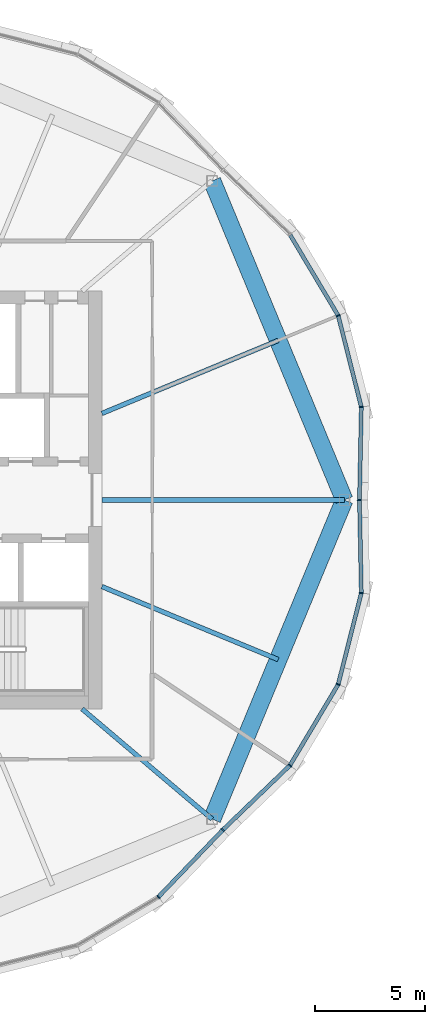
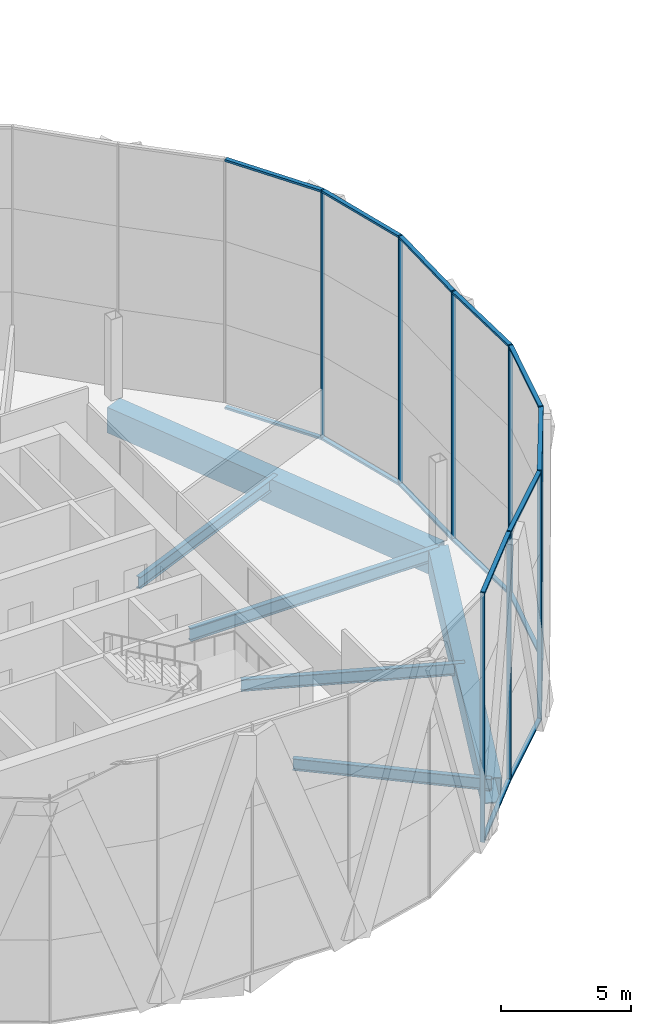
# One storey, part 6 of 25: 24 members, 6 beams, 3 elements without a shape of their own.
"""IFC4 building model written with IfcOpenShell, lengths in metres."""

import ifcopenshell
import ifcopenshell.guid

model = None  # the IFC model being written
_history = None  # IfcOwnerHistory: only IFC2X3 demands one
_inside = {}  # id of a spatial element -> (the spatial element, [elements in it])
_under = {}  # id of a project, library or spatial element -> (it, [spatial elements below it])
_declared = {}  # id of a project -> (the project, [libraries it declares])
_typed = {}  # id of a type object -> (the type object, [elements of that type])
_made_of = {}  # id of a material, layer set ... -> (it, [elements and type objects made of it])


def new_model(schema):
    """Start an empty IFC model of exactly this schema.

    Asked for "IFC4X3", IfcOpenShell would pick the latest addendum, in which some entities
    have other attributes; the version numbers below select the first issue.
    IFC2X3 requires an IfcOwnerHistory on every rooted entity: one is made here for all.
    """
    global model, _history
    if schema == "IFC4X3":
        model = ifcopenshell.file(schema_version=(4, 3, 0, 0))
    else:
        model = ifcopenshell.file(schema=schema)
    _inside.clear()
    _under.clear()
    _declared.clear()
    _typed.clear()
    _made_of.clear()
    _history = None
    if model.schema == "IFC2X3":
        org = make("IfcOrganization", Name="unknown")
        user = make(
            "IfcPersonAndOrganization",
            ThePerson=make("IfcPerson", FamilyName="unknown"),
            TheOrganization=org,
        )
        app = make(
            "IfcApplication",
            ApplicationDeveloper=org,
            Version="unknown",
            ApplicationFullName="unknown",
            ApplicationIdentifier="unknown",
        )
        _history = make(
            "IfcOwnerHistory",
            OwningUser=user,
            OwningApplication=app,
            ChangeAction="ADDED",
            CreationDate=0,
        )
    return model


def make(cls, **values):
    """One entity of the class cls with the attributes given. An attribute that is None is left unset."""
    return model.create_entity(
        cls, **{name: value for name, value in values.items() if value is not None}
    )


def rooted(cls, **values):
    """An entity with a GlobalId (a new one), such as an element, a storey or a relation."""
    return make(cls, GlobalId=ifcopenshell.guid.new(), OwnerHistory=_history, **values)


def si_unit(unit_type, name, prefix=None):
    """IfcSIUnit, for example si_unit("LENGTHUNIT", "METRE", prefix="MILLI")."""
    return make("IfcSIUnit", UnitType=unit_type, Prefix=prefix, Name=name)


def assignment(units):
    """IfcUnitAssignment: the units of a project."""
    return None if units is None else make("IfcUnitAssignment", Units=units)


def point(xyz):
    """IfcCartesianPoint."""
    return None if xyz is None else make("IfcCartesianPoint", Coordinates=xyz)


def direction(xyz):
    """IfcDirection."""
    return None if xyz is None else make("IfcDirection", DirectionRatios=xyz)


def frame(location, z_axis=None, x_axis=None):
    """IfcAxis2Placement3D, a coordinate frame: its origin and axes. An axis left out is left unset."""
    return make(
        "IfcAxis2Placement3D",
        Location=point(location),
        Axis=direction(z_axis),
        RefDirection=direction(x_axis),
    )


def frame_2d(location, x_axis=None):
    """IfcAxis2Placement2D, a coordinate frame in the plane: its origin and x axis."""
    return make(
        "IfcAxis2Placement2D", Location=point(location), RefDirection=direction(x_axis)
    )


def origin():
    """The frame at (0, 0, 0) with its axes left unset."""
    return frame((0.0, 0.0, 0.0))


def origin_2d():
    """The frame at (0, 0) in the plane with its x axis left unset."""
    return frame_2d((0.0, 0.0))


def place(relative_to, where):
    """IfcLocalPlacement: puts the frame where relative to a parent placement (None: the world)."""
    return make(
        "IfcLocalPlacement", PlacementRelTo=relative_to, RelativePlacement=where
    )


def context(
    kind, dimensions, precision=None, world=None, true_north=None, identifier=None
):
    """IfcGeometricRepresentationContext, for example the 3D "Model" context."""
    return make(
        "IfcGeometricRepresentationContext",
        ContextIdentifier=identifier,
        ContextType=kind,
        CoordinateSpaceDimension=dimensions,
        Precision=precision,
        WorldCoordinateSystem=world,
        TrueNorth=true_north,
    )


def subcontext(parent, identifier, kind, view, scale=None):
    """IfcGeometricRepresentationSubContext, for example "Body" below "Model"."""
    return make(
        "IfcGeometricRepresentationSubContext",
        ContextIdentifier=identifier,
        ContextType=kind,
        ParentContext=parent,
        TargetScale=scale,
        TargetView=view,
    )


def project(units=None, contexts=None):
    """IfcProject with its units and contexts."""
    return rooted(
        "IfcProject",
        Name="project",
        RepresentationContexts=contexts,
        UnitsInContext=assignment(units),
    )


def spatial(cls, under=None, at=None, **own):
    """A site, building, storey or space (cls), placed at a placement, below another one or the project."""
    s = rooted(cls, ObjectPlacement=at, **own)
    if under is not None:
        _under.setdefault(under.id(), (under, []))[1].append(s)
    return s


def profile(cls, at=None, kind="AREA", **sizes):
    """A parametric profile (cls). Its sizes go by their IFC names, for example OverallWidth=200.0."""
    return make(cls, ProfileType=kind, Position=at, **sizes)


def rectangle(**sizes):
    """IfcRectangleProfileDef."""
    return profile("IfcRectangleProfileDef", **sizes)


def hollow_rectangle(**sizes):
    """IfcRectangleHollowProfileDef."""
    return profile("IfcRectangleHollowProfileDef", **sizes)


def i_section(**sizes):
    """IfcIShapeProfileDef."""
    return profile("IfcIShapeProfileDef", **sizes)


def extrude(swept, where, along, depth):
    """IfcExtrudedAreaSolid: the profile swept, set in the frame where, extruded along a direction by depth."""
    return make(
        "IfcExtrudedAreaSolid",
        SweptArea=swept,
        Position=where,
        ExtrudedDirection=direction(along),
        Depth=depth,
    )


def shape(context_of_items, identifier, shape_type, items):
    """IfcShapeRepresentation: the items that make up one representation, for example the "Body"."""
    return make(
        "IfcShapeRepresentation",
        ContextOfItems=context_of_items,
        RepresentationIdentifier=identifier,
        RepresentationType=shape_type,
        Items=items,
    )


def material(Name=None, Category=None):
    """IfcMaterial."""
    return make("IfcMaterial", Name=Name, Category=Category)


def material_profile(
    of_material, cross_section, Name=None, Category=None, Priority=None
):
    """IfcMaterialProfile: a cross section and its material."""
    return make(
        "IfcMaterialProfile",
        Name=Name,
        Material=of_material,
        Profile=cross_section,
        Priority=Priority,
        Category=Category,
    )


def profile_set(profiles, Name=None, composite=None):
    """IfcMaterialProfileSet."""
    return make(
        "IfcMaterialProfileSet",
        Name=Name,
        MaterialProfiles=profiles,
        CompositeProfile=composite,
    )


def made_of(thing, what):
    """Note that an element or type object is made of a material, layer set ...; save() writes the relation."""
    if what is not None:
        _made_of.setdefault(what.id(), (what, []))[1].append(thing)
    return thing


def type_object(cls, material=None, **own):
    """A type object (cls), such as IfcWallType, which elements share."""
    return made_of(rooted(cls, **own), material)


def element(
    cls,
    number,
    at=None,
    inside=None,
    cuts=None,
    type_object=None,
    material=None,
    context=None,
    identifier="Body",
    shape_type=None,
    held_by="IfcProductDefinitionShape",
    body=None,
    shapes=None,
    **own,
):
    """One element of the class cls, such as IfcWall. Its Tag is "e" and its number.

    at: its placement. inside: the storey or other place that contains it. cuts: it is an
    opening in that element (IfcRelVoidsElement). A single representation is given by context,
    identifier, shape_type and body (its items); several are given by shapes. held_by: the class
    of the entity that holds the representations. save() writes the other relations.
    """
    e = rooted(cls, Tag="e%d" % number, ObjectPlacement=at, **own)
    if body is not None:
        shapes = [shape(context, identifier, shape_type, body)]
    if shapes is not None:
        e.Representation = make(held_by, Representations=shapes)
    if inside is not None:
        _inside.setdefault(inside.id(), (inside, []))[1].append(e)
    if cuts is not None:
        rooted(
            "IfcRelVoidsElement", RelatingBuildingElement=cuts, RelatedOpeningElement=e
        )
    if type_object is not None:
        _typed.setdefault(type_object.id(), (type_object, []))[1].append(e)
    return made_of(e, material)


def aggregate(whole, parts):
    """IfcRelAggregates: a whole, such as a stair, and the parts it consists of."""
    return rooted("IfcRelAggregates", RelatingObject=whole, RelatedObjects=parts)


def save(model, path):
    """Write the relations noted so far, then the file.

    IfcRelAggregates (storeys below a building ...), IfcRelContainedInSpatialStructure (elements
    in a storey), IfcRelDefinesByType, IfcRelAssociatesMaterial and IfcRelDeclares: one each for
    every whole, place, type object, material and project.
    """
    for whole, parts in _under.values():
        aggregate(whole, parts)
    for where, things in _inside.values():
        rooted(
            "IfcRelContainedInSpatialStructure",
            RelatedElements=things,
            RelatingStructure=where,
        )
    for kind, things in _typed.values():
        rooted("IfcRelDefinesByType", RelatedObjects=things, RelatingType=kind)
    for what, things in _made_of.values():
        rooted("IfcRelAssociatesMaterial", RelatedObjects=things, RelatingMaterial=what)
    for by, libraries in _declared.values():
        rooted("IfcRelDeclares", RelatingContext=by, RelatedDefinitions=libraries)
    model.write(path)


model = new_model("IFC4")

# Units and contexts
model_context = context("Model", 3, precision=1e-05, world=origin(), true_north=direction((0.0, 1.0)))
body_context = subcontext(model_context, "Body", "Model", "MODEL_VIEW")
ifc_project = project(units=[si_unit("LENGTHUNIT", "METRE"), si_unit("AREAUNIT", "SQUARE_METRE"), si_unit("VOLUMEUNIT", "CUBIC_METRE"), si_unit("PLANEANGLEUNIT", "RADIAN"), si_unit("MASSUNIT", "GRAM", prefix="KILO")], contexts=[model_context])

# Site, building, storey
site_placement = place(None, origin())
site = spatial("IfcSite", under=ifc_project, at=site_placement, CompositionType="ELEMENT")
building_placement = place(site_placement, origin())
building = spatial("IfcBuilding", under=site, at=building_placement, Name="Ogive Gate Towers", CompositionType="ELEMENT")
storey_placement = place(building_placement, frame((0.0, 0.0, 196.800048828125)))
storey = spatial("IfcBuildingStorey", under=building, at=storey_placement, Name="L47", CompositionType="ELEMENT", Elevation=196.800048828125)

# Beams
ifc_material_1 = material(Name="Steel SM460", Category="steel")
ifc_material_profile_1 = material_profile(ifc_material_1, hollow_rectangle(XDim=0.800048828125, YDim=1.199951171875, WallThickness=0.050048828125, at=origin_2d()), Name="BX 1200x800x50")
ifc_profile_set_1 = profile_set([ifc_material_profile_1], Name="Steel SM460")
beam_type_1 = type_object("IfcBeamType", Name="Edge girder BX 1200x800x50", PredefinedType="BEAM", material=ifc_profile_set_1)
for number, where, z_axis, x_axis, name in (
    (1, (-21.490234375, -14.509765625, -0.900146484375), (0.38268953008, 0.923877006731, 0.0), (-0.923877006731, 0.38268953008, 0.0), "T1/L47/SBM019"),
    (2, (-15.47998046875, 0.0, -0.900146484375), (-0.38268953008, 0.923877006731, 0.0), (-0.923877006731, -0.38268953008, 0.0), "T1/L47/SBM020"),
):
    element("IfcBeam", number, at=place(storey_placement, frame(where, z_axis=z_axis, x_axis=x_axis)), inside=storey, type_object=beam_type_1, Name=name, PredefinedType="BEAM", context=body_context, shape_type="SweptSolid", body=[
        extrude(hollow_rectangle(XDim=0.800048828125, YDim=1.199951171875, WallThickness=0.050048828125, at=origin_2d()), origin(), (0.0, 0.0, 1.0), 15.705322265625),
    ])
ifc_material_2 = material(Name="Steel SM355", Category="steel")
ifc_material_profile_2 = material_profile(ifc_material_2, i_section(OverallWidth=0.2099609375, OverallDepth=0.550048828125, WebThickness=0.010986328125, FlangeThickness=0.01708984375, FilletRadius=0.02392578125, at=origin_2d()), Name="IPE 550")
ifc_profile_set_2 = profile_set([ifc_material_profile_2], Name="Steel SM355")
beam_type_2 = type_object("IfcBeamType", Name="Radial floor beam IPE 550", PredefinedType="BEAM", material=ifc_profile_set_2)
beam_1_placement = place(storey_placement, frame((-27.39990234375, -9.5, -0.574951171875), z_axis=(0.762795484328, -0.64663981403, 0.0), x_axis=(0.64663981403, 0.762795484328, 0.0)))
element("IfcBeam", 3, at=beam_1_placement, inside=storey, type_object=beam_type_2, Name="T1/L47/SBM005", PredefinedType="BEAM", context=body_context, shape_type="SweptSolid", body=[
    extrude(i_section(OverallWidth=0.2099609375, OverallDepth=0.550048828125, WebThickness=0.010986328125, FlangeThickness=0.01708984375, FilletRadius=0.02392578125, at=origin_2d()), origin(), (0.0, 0.0, 1.0), 7.747314453125),
])
for number, where, z_axis, x_axis, name in (
    (4, (-26.5, -3.93505859375, -0.574951171875), (0.92388169199, -0.382678218882, 0.0), (0.382678218882, 0.92388169199, 0.0), "T1/L47/SBM006"),
    (5, (-26.5, 3.93505859375, -0.574951171875), (0.92388169199, 0.382678218882, 0.0), (-0.382678218882, 0.92388169199, 0.0), "T1/L47/SBM008"),
):
    element("IfcBeam", number, at=place(storey_placement, frame(where, z_axis=z_axis, x_axis=x_axis)), inside=storey, type_object=beam_type_2, Name=name, PredefinedType="BEAM", context=body_context, shape_type="SweptSolid", body=[
        extrude(i_section(OverallWidth=0.2099609375, OverallDepth=0.550048828125, WebThickness=0.010986328125, FlangeThickness=0.01708984375, FilletRadius=0.02392578125, at=origin_2d()), origin(), (0.0, 0.0, 1.0), 8.67529296875),
    ])
ifc_material_profile_3 = material_profile(ifc_material_2, i_section(OverallWidth=0.219970703125, OverallDepth=0.60009765625, WebThickness=0.011962890625, FlangeThickness=0.01904296875, FilletRadius=0.02392578125, at=origin_2d()), Name="IPE 600")
ifc_profile_set_3 = profile_set([ifc_material_profile_3], Name="Steel SM355")
beam_type_3 = type_object("IfcBeamType", Name="Radial floor beam IPE 600", PredefinedType="BEAM", material=ifc_profile_set_3)
beam_2_placement = place(storey_placement, frame((-26.5, 0.0, -0.60009765625), z_axis=(1.0, 0.0, 0.0), x_axis=(0.0, 1.0, 0.0)))
element("IfcBeam", 6, at=beam_2_placement, inside=storey, type_object=beam_type_3, Name="T1/L47/SBM007", PredefinedType="BEAM", context=body_context, shape_type="SweptSolid", body=[
    extrude(i_section(OverallWidth=0.219970703125, OverallDepth=0.60009765625, WebThickness=0.011962890625, FlangeThickness=0.01904296875, FilletRadius=0.02392578125, at=origin_2d()), origin(), (0.0, 0.0, 1.0), 11.02001953125),
])

# Curtain wall, members
ifc_material_3 = material(Name="Pale metal aluminium", Category="aluminium")
curtain_wall_type = type_object("IfcCurtainWallType", Name="Tower unitised wall, high zone", PredefinedType="NOTDEFINED", material=ifc_material_3)
curtain_wall_1_placement = place(storey_placement, origin())
curtain_wall_1 = element("IfcCurtainWall", 7, at=curtain_wall_1_placement, inside=storey, type_object=curtain_wall_type, Name="CW2 T1 ECW01", PredefinedType="NOTDEFINED")
ifc_material_profile_4 = material_profile(ifc_material_3, rectangle(XDim=0.179931640625, YDim=0.06005859375, at=origin_2d()), Name="60 x 180 aluminium box")
ifc_profile_set_4 = profile_set([ifc_material_profile_4], Name="Pale metal aluminium")
member_type_1 = type_object("IfcMemberType", Name="Tower unitised wall, high zone mullion 60 x 180", PredefinedType="MULLION", material=ifc_profile_set_4)
member_1_placement = place(storey_placement, frame((-14.7900390625, 0.000244140625, -0.300048828125), z_axis=(0.0, 0.0, 1.0), x_axis=(0.999798928628, -0.020052489003, 0.0)))
member_1 = element("IfcMember", 8, at=member_1_placement, type_object=member_type_1, Name="CW2 mullion", PredefinedType="MULLION", context=body_context, shape_type="SweptSolid", body=[
    extrude(rectangle(XDim=0.179931640625, YDim=0.06005859375, at=origin_2d()), origin(), (0.0, 0.0, 1.0), 11.699951171875),
])
member_2_placement = place(storey_placement, frame((-14.705078125, 4.228271484375, -0.300048828125), z_axis=(0.0, 0.0, 1.0), x_axis=(0.993522366877, 0.113636730484, 0.0)))
member_2 = element("IfcMember", 9, at=member_2_placement, type_object=member_type_1, Name="CW2 mullion", PredefinedType="MULLION", context=body_context, shape_type="SweptSolid", body=[
    extrude(rectangle(XDim=0.179931640625, YDim=0.06005859375, at=origin_2d()), origin(), (0.0, 0.0, 1.0), 11.699951171875),
])
member_3_placement = place(storey_placement, frame((-15.7568359375, 8.385009765625, -0.300048828125), z_axis=(0.0, 0.0, 1.0), x_axis=(0.923879532511, 0.382683432365, 0.0)))
member_3 = element("IfcMember", 10, at=member_3_placement, type_object=member_type_1, Name="CW2 mullion", PredefinedType="MULLION", context=body_context, shape_type="SweptSolid", body=[
    extrude(rectangle(XDim=0.179931640625, YDim=0.06005859375, at=origin_2d()), origin(), (0.0, 0.0, 1.0), 11.699951171875),
])

curtain_wall_2_placement = place(storey_placement, origin())
curtain_wall_2 = element("IfcCurtainWall", 11, at=curtain_wall_2_placement, inside=storey, type_object=curtain_wall_type, Name="CW2 T1 ECW07", PredefinedType="NOTDEFINED")
member_4_placement = place(storey_placement, frame((-23.931884765625, -18.047607421875, -0.300048828125), z_axis=(0.0, 0.0, 1.0), x_axis=(0.622173100162, -0.782879705596, 0.0)))
member_4 = element("IfcMember", 12, at=member_4_placement, type_object=member_type_1, Name="CW2 mullion", PredefinedType="MULLION", context=body_context, shape_type="SweptSolid", body=[
    extrude(rectangle(XDim=0.179931640625, YDim=0.06005859375, at=origin_2d()), origin(), (0.0, 0.0, 1.0), 11.699951171875),
])
member_5_placement = place(storey_placement, frame((-21.00244140625, -14.997802734375, -0.300048828125), z_axis=(0.0, 0.0, 1.0), x_axis=(0.72114385321, -0.692785351302, 0.0)))
member_5 = element("IfcMember", 13, at=member_5_placement, type_object=member_type_1, Name="CW2 mullion", PredefinedType="MULLION", context=body_context, shape_type="SweptSolid", body=[
    extrude(rectangle(XDim=0.179931640625, YDim=0.06005859375, at=origin_2d()), origin(), (0.0, 0.0, 1.0), 11.699951171875),
])

curtain_wall_3_placement = place(storey_placement, origin())
curtain_wall_3 = element("IfcCurtainWall", 14, at=curtain_wall_3_placement, inside=storey, type_object=curtain_wall_type, Name="CW2 T1 ECW08", PredefinedType="NOTDEFINED")
member_6_placement = place(storey_placement, frame((-17.952392578125, -12.068115234375, -0.300048828125), z_axis=(0.0, 0.0, 1.0), x_axis=(0.782879705596, -0.622173100162, 0.0)))
member_6 = element("IfcMember", 15, at=member_6_placement, type_object=member_type_1, Name="CW2 mullion", PredefinedType="MULLION", context=body_context, shape_type="SweptSolid", body=[
    extrude(rectangle(XDim=0.179931640625, YDim=0.06005859375, at=origin_2d()), origin(), (0.0, 0.0, 1.0), 11.699951171875),
])
member_7_placement = place(storey_placement, frame((-15.7568359375, -8.385009765625, -0.300048828125), z_axis=(0.0, 0.0, 1.0), x_axis=(0.923879532511, -0.382683432365, 0.0)))
member_7 = element("IfcMember", 16, at=member_7_placement, type_object=member_type_1, Name="CW2 mullion", PredefinedType="MULLION", context=body_context, shape_type="SweptSolid", body=[
    extrude(rectangle(XDim=0.179931640625, YDim=0.06005859375, at=origin_2d()), origin(), (0.0, 0.0, 1.0), 11.699951171875),
])
member_8_placement = place(storey_placement, frame((-14.705078125, -4.228271484375, -0.300048828125), z_axis=(0.0, 0.0, 1.0), x_axis=(0.993522366877, -0.113636730484, 0.0)))
member_8 = element("IfcMember", 17, at=member_8_placement, type_object=member_type_1, Name="CW2 mullion", PredefinedType="MULLION", context=body_context, shape_type="SweptSolid", body=[
    extrude(rectangle(XDim=0.179931640625, YDim=0.06005859375, at=origin_2d()), origin(), (0.0, 0.0, 1.0), 11.699951171875),
])

# Member
ifc_material_profile_5 = material_profile(ifc_material_3, rectangle(XDim=0.179931640625, YDim=0.10009765625, at=origin_2d()), Name="100 x 180 aluminium box")
ifc_profile_set_5 = profile_set([ifc_material_profile_5], Name="Pale metal aluminium")
member_type_2 = type_object("IfcMemberType", Name="Tower unitised wall, high zone transom 100 x 180", PredefinedType="USERDEFINED", material=ifc_profile_set_5)
member_9_placement = place(storey_placement, frame((-14.789306640625, 0.0302734375, 11.349853515625), z_axis=(0.020022921839, 0.999799521205, 0.0), x_axis=(-0.999799521205, 0.020022921839, 0.0)))
member_9 = element("IfcMember", 18, at=member_9_placement, type_object=member_type_2, Name="CW2 transom", ObjectType="TRANSOM", PredefinedType="USERDEFINED", context=body_context, shape_type="SweptSolid", body=[
    extrude(rectangle(XDim=0.179931640625, YDim=0.10009765625, at=origin_2d()), origin(), (0.0, 0.0, 1.0), 4.169921875),
])

member_10_placement = place(storey_placement, frame((-14.789306640625, 0.0302734375, -0.25), z_axis=(0.020022921839, 0.999799521205, 0.0), x_axis=(-0.999799521205, 0.020022921839, 0.0)))
member_10 = element("IfcMember", 19, at=member_10_placement, type_object=member_type_2, Name="CW2 transom", ObjectType="TRANSOM", PredefinedType="USERDEFINED", context=body_context, shape_type="SweptSolid", body=[
    extrude(rectangle(XDim=0.179931640625, YDim=0.10009765625, at=origin_2d()), origin(), (0.0, 0.0, 1.0), 4.169921875),
])

member_11_placement = place(storey_placement, frame((-14.71240234375, 4.255859375, 11.349853515625), z_axis=(-0.245250248559, 0.969459806068, 0.0), x_axis=(-0.969459806068, -0.245250248559, 0.0)))
member_11 = element("IfcMember", 20, at=member_11_placement, type_object=member_type_2, Name="CW2 transom", ObjectType="TRANSOM", PredefinedType="USERDEFINED", context=body_context, shape_type="SweptSolid", body=[
    extrude(rectangle(XDim=0.179931640625, YDim=0.10009765625, at=origin_2d()), origin(), (0.0, 0.0, 1.0), 4.230712890625),
])

member_12_placement = place(storey_placement, frame((-14.71240234375, 4.255859375, -0.25), z_axis=(-0.245250248559, 0.969459806068, 0.0), x_axis=(-0.969459806068, -0.245250248559, 0.0)))
member_12 = element("IfcMember", 21, at=member_12_placement, type_object=member_type_2, Name="CW2 transom", ObjectType="TRANSOM", PredefinedType="USERDEFINED", context=body_context, shape_type="SweptSolid", body=[
    extrude(rectangle(XDim=0.179931640625, YDim=0.10009765625, at=origin_2d()), origin(), (0.0, 0.0, 1.0), 4.230712890625),
])

member_13_placement = place(storey_placement, frame((-15.771484375, 8.409423828125, 11.349853515625), z_axis=(-0.512057991899, 0.858950879232, 0.0), x_axis=(-0.858950879232, -0.512057991899, 0.0)))
member_13 = element("IfcMember", 22, at=member_13_placement, type_object=member_type_2, Name="CW2 transom", ObjectType="TRANSOM", PredefinedType="USERDEFINED", context=body_context, shape_type="SweptSolid", body=[
    extrude(rectangle(XDim=0.179931640625, YDim=0.10009765625, at=origin_2d()), origin(), (0.0, 0.0, 1.0), 4.23046875),
])

member_14_placement = place(storey_placement, frame((-15.771484375, 8.409423828125, -0.25), z_axis=(-0.512057991899, 0.858950879232, 0.0), x_axis=(-0.858950879232, -0.512057991899, 0.0)))
member_14 = element("IfcMember", 23, at=member_14_placement, type_object=member_type_2, Name="CW2 transom", ObjectType="TRANSOM", PredefinedType="USERDEFINED", context=body_context, shape_type="SweptSolid", body=[
    extrude(rectangle(XDim=0.179931640625, YDim=0.10009765625, at=origin_2d()), origin(), (0.0, 0.0, 1.0), 4.23046875),
])

aggregate(curtain_wall_1, [member_1, member_2, member_9, member_10, member_3, member_11, member_12, member_13, member_14])

member_15_placement = place(storey_placement, frame((-23.912109375, -18.02685546875, 11.349853515625), z_axis=(0.692766996426, 0.721161485843, 0.0), x_axis=(-0.721161485843, 0.692766996426, 0.0)))
member_15 = element("IfcMember", 24, at=member_15_placement, type_object=member_type_2, Name="CW2 transom", ObjectType="TRANSOM", PredefinedType="USERDEFINED", context=body_context, shape_type="SweptSolid", body=[
    extrude(rectangle(XDim=0.179931640625, YDim=0.10009765625, at=origin_2d()), origin(), (0.0, 0.0, 1.0), 4.170166015625),
])

member_16_placement = place(storey_placement, frame((-23.912109375, -18.02685546875, -0.25), z_axis=(0.692766996426, 0.721161485843, 0.0), x_axis=(-0.721161485843, 0.692766996426, 0.0)))
member_16 = element("IfcMember", 25, at=member_16_placement, type_object=member_type_2, Name="CW2 transom", ObjectType="TRANSOM", PredefinedType="USERDEFINED", context=body_context, shape_type="SweptSolid", body=[
    extrude(rectangle(XDim=0.179931640625, YDim=0.10009765625, at=origin_2d()), origin(), (0.0, 0.0, 1.0), 4.170166015625),
])

aggregate(curtain_wall_2, [member_4, member_5, member_15, member_16])

member_17_placement = place(storey_placement, frame((-20.98046875, -14.976806640625, 11.349853515625), z_axis=(0.721161485843, 0.692766996426, 0.0), x_axis=(-0.692766996426, 0.721161485843, 0.0)))
member_17 = element("IfcMember", 26, at=member_17_placement, type_object=member_type_2, Name="CW2 transom", ObjectType="TRANSOM", PredefinedType="USERDEFINED", context=body_context, shape_type="SweptSolid", body=[
    extrude(rectangle(XDim=0.179931640625, YDim=0.10009765625, at=origin_2d()), origin(), (0.0, 0.0, 1.0), 4.170166015625),
])

member_18_placement = place(storey_placement, frame((-20.98046875, -14.976806640625, -0.25), z_axis=(0.721161485843, 0.692766996426, 0.0), x_axis=(-0.692766996426, 0.721161485843, 0.0)))
member_18 = element("IfcMember", 27, at=member_18_placement, type_object=member_type_2, Name="CW2 transom", ObjectType="TRANSOM", PredefinedType="USERDEFINED", context=body_context, shape_type="SweptSolid", body=[
    extrude(rectangle(XDim=0.179931640625, YDim=0.10009765625, at=origin_2d()), origin(), (0.0, 0.0, 1.0), 4.170166015625),
])

member_19_placement = place(storey_placement, frame((-17.937744140625, -12.043212890625, 11.349853515625), z_axis=(0.512057991899, 0.858950879232, 0.0), x_axis=(-0.858950879232, 0.512057991899, 0.0)))
member_19 = element("IfcMember", 28, at=member_19_placement, type_object=member_type_2, Name="CW2 transom", ObjectType="TRANSOM", PredefinedType="USERDEFINED", context=body_context, shape_type="SweptSolid", body=[
    extrude(rectangle(XDim=0.179931640625, YDim=0.10009765625, at=origin_2d()), origin(), (0.0, 0.0, 1.0), 4.23046875),
])

member_20_placement = place(storey_placement, frame((-17.937744140625, -12.043212890625, -0.25), z_axis=(0.512057991899, 0.858950879232, 0.0), x_axis=(-0.858950879232, 0.512057991899, 0.0)))
member_20 = element("IfcMember", 29, at=member_20_placement, type_object=member_type_2, Name="CW2 transom", ObjectType="TRANSOM", PredefinedType="USERDEFINED", context=body_context, shape_type="SweptSolid", body=[
    extrude(rectangle(XDim=0.179931640625, YDim=0.10009765625, at=origin_2d()), origin(), (0.0, 0.0, 1.0), 4.23046875),
])

member_21_placement = place(storey_placement, frame((-15.75, -8.357421875, 11.349853515625), z_axis=(0.245250248559, 0.969459806068, 0.0), x_axis=(-0.969459806068, 0.245250248559, 0.0)))
member_21 = element("IfcMember", 30, at=member_21_placement, type_object=member_type_2, Name="CW2 transom", ObjectType="TRANSOM", PredefinedType="USERDEFINED", context=body_context, shape_type="SweptSolid", body=[
    extrude(rectangle(XDim=0.179931640625, YDim=0.10009765625, at=origin_2d()), origin(), (0.0, 0.0, 1.0), 4.230712890625),
])

member_22_placement = place(storey_placement, frame((-15.75, -8.357421875, -0.25), z_axis=(0.245250248559, 0.969459806068, 0.0), x_axis=(-0.969459806068, 0.245250248559, 0.0)))
member_22 = element("IfcMember", 31, at=member_22_placement, type_object=member_type_2, Name="CW2 transom", ObjectType="TRANSOM", PredefinedType="USERDEFINED", context=body_context, shape_type="SweptSolid", body=[
    extrude(rectangle(XDim=0.179931640625, YDim=0.10009765625, at=origin_2d()), origin(), (0.0, 0.0, 1.0), 4.230712890625),
])

member_23_placement = place(storey_placement, frame((-14.705810546875, -4.199462890625, 11.349853515625), z_axis=(-0.020022921839, 0.999799521205, 0.0), x_axis=(-0.999799521205, -0.020022921839, 0.0)))
member_23 = element("IfcMember", 32, at=member_23_placement, type_object=member_type_2, Name="CW2 transom", ObjectType="TRANSOM", PredefinedType="USERDEFINED", context=body_context, shape_type="SweptSolid", body=[
    extrude(rectangle(XDim=0.179931640625, YDim=0.10009765625, at=origin_2d()), origin(), (0.0, 0.0, 1.0), 4.169921875),
])

member_24_placement = place(storey_placement, frame((-14.705810546875, -4.199462890625, -0.25), z_axis=(-0.020022921839, 0.999799521205, 0.0), x_axis=(-0.999799521205, -0.020022921839, 0.0)))
member_24 = element("IfcMember", 33, at=member_24_placement, type_object=member_type_2, Name="CW2 transom", ObjectType="TRANSOM", PredefinedType="USERDEFINED", context=body_context, shape_type="SweptSolid", body=[
    extrude(rectangle(XDim=0.179931640625, YDim=0.10009765625, at=origin_2d()), origin(), (0.0, 0.0, 1.0), 4.169921875),
])

aggregate(curtain_wall_3, [member_6, member_17, member_18, member_7, member_19, member_20, member_8, member_21, member_22, member_23, member_24])

save(model, "model.ifc")
